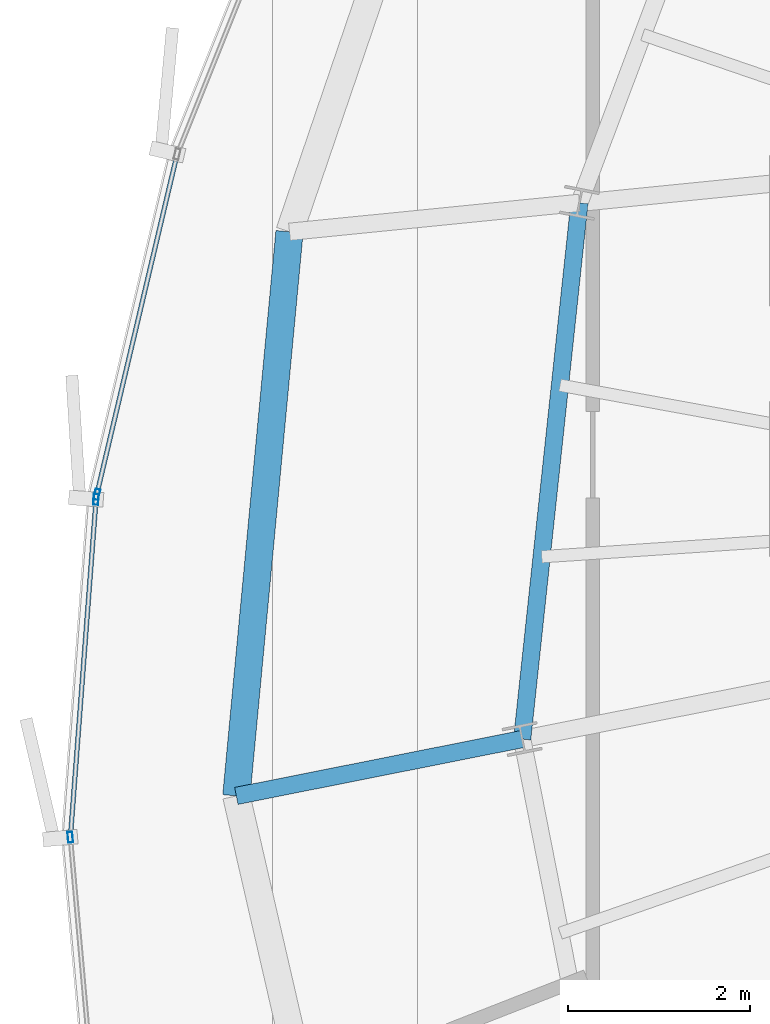
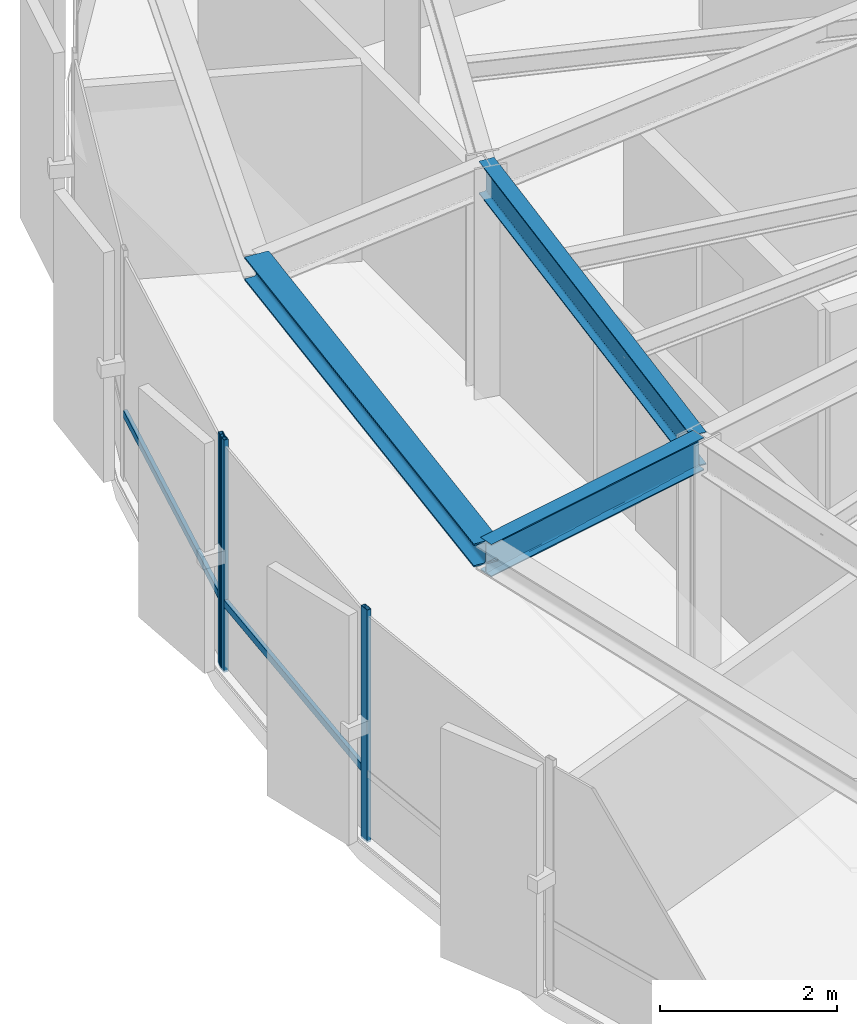
# One storey, part 9 of 34: 5 members, 3 beams, 2 elements without a shape of their own.
"""IFC4 building model written with IfcOpenShell, lengths in metres."""

from ifc_helpers import new_model, si_unit, direction, frame, origin, origin_2d, place, context, subcontext, project, spatial, hollow_rectangle, i_section, extrude, source, transform, mapped, material, layer, layer_set, material_profile, profile_set, type_object, element, aggregate, save


model = new_model("IFC4")

# Units and contexts
model_context = context("Model", 3, precision=1e-05, world=origin(), true_north=direction((0.0, 1.0)))
body_context = subcontext(model_context, "Body", "Model", "MODEL_VIEW")
ifc_project = project(units=[si_unit("LENGTHUNIT", "METRE"), si_unit("AREAUNIT", "SQUARE_METRE"), si_unit("VOLUMEUNIT", "CUBIC_METRE"), si_unit("PLANEANGLEUNIT", "RADIAN"), si_unit("MASSUNIT", "GRAM", prefix="KILO"), si_unit("THERMODYNAMICTEMPERATUREUNIT", "KELVIN")], contexts=[model_context])

# Site, building, storey
site_placement = place(None, origin())
site = spatial("IfcSite", under=ifc_project, at=site_placement, CompositionType="ELEMENT")
building_placement = place(site_placement, origin())
building = spatial("IfcBuilding", under=site, at=building_placement, Name="Kethvar Cultural Tower", CompositionType="ELEMENT")
storey_placement = place(building_placement, frame((0.0, 0.0, 259.449951171875)))
storey = spatial("IfcBuildingStorey", under=building, at=storey_placement, Name="L68", CompositionType="ELEMENT", Elevation=259.449951171875)

# Beams
ifc_material_1 = material(Name="Steel S355J2", Category="steel")
ifc_material_profile_1 = material_profile(ifc_material_1, i_section(OverallWidth=0.18994140625, OverallDepth=0.449951171875, WebThickness=0.009521484375, FlangeThickness=0.0146484375, FilletRadius=0.02099609375, at=origin_2d()), Name="Steel S355J2 — IPE450")
ifc_profile_set_1 = profile_set([ifc_material_profile_1], Name="Steel S355J2 — IPE450")
beam_type_1 = type_object("IfcBeamType", Name="BM-IPE450", PredefinedType="BEAM", material=ifc_profile_set_1)
shared_shape_1 = source(origin(), body_context, "Body", "SweptSolid", [
    extrude(i_section(OverallWidth=0.18994140625, OverallDepth=0.449951171875, WebThickness=0.009521484375, FlangeThickness=0.0146484375, FilletRadius=0.02099609375, at=origin_2d()), origin(), (0.0, 0.0, 1.0), 3.2001953125),
])
beam_1_placement = place(storey_placement, frame((31.68310546875, 24.79296875, 2.983154296875), z_axis=(-0.980788453702, -0.195074368086, 0.0), x_axis=(0.195074368086, -0.980788453702, 0.0)))
element("IfcBeam", 1, at=beam_1_placement, inside=storey, type_object=beam_type_1, Name="L68 Perimeter Cantilever Beam RC-09", PredefinedType="BEAM", context=body_context, shape_type="MappedRepresentation", body=[
    mapped(shared_shape_1, transform((0.0, 0.0, 0.0), scale=1.0)),
])
shared_shape_2 = source(origin(), body_context, "Body", "SweptSolid", [
    extrude(i_section(OverallWidth=0.18994140625, OverallDepth=0.449951171875, WebThickness=0.009521484375, FlangeThickness=0.0146484375, FilletRadius=0.02099609375, at=origin_2d()), origin(), (0.0, 0.0, 1.0), 5.92236328125),
])
beam_2_placement = place(storey_placement, frame((32.3125, 30.681884765625, 2.983154296875), z_axis=(-0.106272578913, -0.994337034899, 0.0), x_axis=(0.994337034899, -0.106272578913, 0.0)))
element("IfcBeam", 2, at=beam_2_placement, inside=storey, type_object=beam_type_1, Name="L68 Column Ring Tie Beam CR-08", PredefinedType="BEAM", context=body_context, shape_type="MappedRepresentation", body=[
    mapped(shared_shape_2, transform((0.0, 0.0, 0.0), scale=1.0)),
])
ifc_material_profile_2 = material_profile(ifc_material_1, i_section(OverallWidth=0.300048828125, OverallDepth=0.320068359375, WebThickness=0.011474609375, FlangeThickness=0.0205078125, FilletRadius=0.027099609375, at=origin_2d()), Name="Steel S355J2 — HEB320")
ifc_profile_set_2 = profile_set([ifc_material_profile_2], Name="Steel S355J2 — HEB320")
beam_type_2 = type_object("IfcBeamType", Name="BM-SP320", PredefinedType="SPANDREL", material=ifc_profile_set_2)
shared_shape_3 = source(origin(), body_context, "Body", "SweptSolid", [
    extrude(i_section(OverallWidth=0.300048828125, OverallDepth=0.320068359375, WebThickness=0.011474609375, FlangeThickness=0.0205078125, FilletRadius=0.027099609375, at=origin_2d()), origin(), (0.0, 0.0, 1.0), 6.222412109375),
])
beam_3_placement = place(storey_placement, frame((29.128173828125, 30.36376953125, 3.048095703125), z_axis=(-0.093811063392, -0.995590018223, 0.0), x_axis=(0.995590018223, -0.093811063392, 0.0)))
element("IfcBeam", 3, at=beam_3_placement, inside=storey, type_object=beam_type_2, Name="L68 Perimeter Spandrel Beam SP-08", PredefinedType="SPANDREL", context=body_context, shape_type="MappedRepresentation", body=[
    mapped(shared_shape_3, transform((0.0, 0.0, 0.0), scale=1.0)),
])

# Curtain wall, member
ifc_material_2 = material(Name="Aluminium 6063-T6", Category="aluminium")
ifc_layer = layer(ifc_material_2, 0.179931640625, Name="Aluminium 6063-T6", Category="aluminium")
ifc_layer_set = layer_set([ifc_layer], Name="Aluminium 6063-T6 (180 mm)")
curtain_wall_type = type_object("IfcCurtainWallType", Name="CW-SYS-05-Z56", PredefinedType="NOTDEFINED", material=ifc_layer_set)
curtain_wall_1_placement = place(storey_placement, origin())
curtain_wall_1 = element("IfcCurtainWall", 4, at=curtain_wall_1_placement, inside=storey, type_object=curtain_wall_type, Name="L68 Curtain Wall Run 02", PredefinedType="NOTDEFINED")
ifc_material_profile_3 = material_profile(ifc_material_2, hollow_rectangle(XDim=0.054931640625, YDim=0.1201171875, WallThickness=0.00390625, at=origin_2d()), Name="Aluminium 6063-T6 — RHS120x55x4")
ifc_profile_set_3 = profile_set([ifc_material_profile_3], Name="Aluminium 6063-T6 — RHS120x55x4")
member_type_1 = type_object("IfcMemberType", Name="CW-SYS-05-Z56-MUL", PredefinedType="MULLION", material=ifc_profile_set_3)
shared_shape_4 = source(origin(), body_context, "Body", "SweptSolid", [
    extrude(hollow_rectangle(XDim=0.054931640625, YDim=0.1201171875, WallThickness=0.00390625, at=origin_2d()), origin(), (0.0, 0.0, 1.0), 3.2099609375),
])
member_1_placement = place(storey_placement, frame((27.01220703125, 27.479736328125, 0.0), z_axis=(0.0, 0.0, 1.0), x_axis=(0.973255106649, -0.22972700621, 0.0)))
member_1 = element("IfcMember", 5, at=member_1_placement, type_object=member_type_1, Name="CW-L68-R02 Mullion 7", PredefinedType="MULLION", context=body_context, shape_type="MappedRepresentation", body=[
    mapped(shared_shape_4, transform((0.0, 0.0, 0.0), scale=1.0)),
])

# Curtain wall, members
curtain_wall_2_placement = place(storey_placement, origin())
curtain_wall_2 = element("IfcCurtainWall", 6, at=curtain_wall_2_placement, inside=storey, type_object=curtain_wall_type, Name="L68 Curtain Wall Run 03", PredefinedType="NOTDEFINED")
member_2_placement = place(storey_placement, frame((27.003662109375, 27.4248046875, 0.0), z_axis=(0.0, 0.0, 1.0), x_axis=(0.997128581801, -0.075727084685, 0.0)))
member_2 = element("IfcMember", 7, at=member_2_placement, type_object=member_type_1, Name="CW-L68-R03 Mullion 1", PredefinedType="MULLION", context=body_context, shape_type="MappedRepresentation", body=[
    mapped(shared_shape_4, transform((0.0, 0.0, 0.0), scale=1.0)),
])
member_3_placement = place(storey_placement, frame((26.720458984375, 23.715576171875, 0.0), z_axis=(0.0, 0.0, 1.0), x_axis=(0.995972505796, 0.089659175206, 0.0)))
member_3 = element("IfcMember", 8, at=member_3_placement, type_object=member_type_1, Name="CW-L68-R03 Mullion 2", PredefinedType="MULLION", context=body_context, shape_type="MappedRepresentation", body=[
    mapped(shared_shape_4, transform((0.0, 0.0, 0.0), scale=1.0)),
])

# Member
ifc_material_profile_4 = material_profile(ifc_material_2, hollow_rectangle(XDim=0.050048828125, YDim=0.10009765625, WallThickness=0.00390625, at=origin_2d()), Name="Aluminium 6063-T6 — RHS100x50x4")
ifc_profile_set_4 = profile_set([ifc_material_profile_4], Name="Aluminium 6063-T6 — RHS100x50x4")
member_type_2 = type_object("IfcMemberType", Name="CW-SYS-05-Z56-TRN", PredefinedType="USERDEFINED", material=ifc_profile_set_4)
shared_shape_5 = source(origin(), body_context, "Body", "SweptSolid", [
    extrude(hollow_rectangle(XDim=0.050048828125, YDim=0.10009765625, WallThickness=0.00390625, at=origin_2d()), origin(), (0.0, 0.0, 1.0), 3.7958984375),
])
member_4_placement = place(storey_placement, frame((27.885009765625, 31.177978515625, 0.949951171875), z_axis=(-0.22974191579, -0.973251587273, 0.0), x_axis=(0.973251587273, -0.22974191579, 0.0)))
member_4 = element("IfcMember", 9, at=member_4_placement, type_object=member_type_2, Name="CW-L68-R02 Transom 6", ObjectType="TRANSOM", PredefinedType="USERDEFINED", context=body_context, shape_type="MappedRepresentation", body=[
    mapped(shared_shape_5, transform((0.0, 0.0, 0.0), scale=1.0)),
])

aggregate(curtain_wall_1, [member_1, member_4])

shared_shape_6 = source(origin(), body_context, "Body", "SweptSolid", [
    extrude(hollow_rectangle(XDim=0.050048828125, YDim=0.10009765625, WallThickness=0.00390625, at=origin_2d()), origin(), (0.0, 0.0, 1.0), 3.693115234375),
])
member_5_placement = place(storey_placement, frame((27.00341796875, 27.4208984375, 0.949951171875), z_axis=(-0.075756219739, -0.997126368707, 0.0), x_axis=(0.997126368707, -0.075756219739, 0.0)))
member_5 = element("IfcMember", 10, at=member_5_placement, type_object=member_type_2, Name="CW-L68-R03 Transom 1", ObjectType="TRANSOM", PredefinedType="USERDEFINED", context=body_context, shape_type="MappedRepresentation", body=[
    mapped(shared_shape_6, transform((0.0, 0.0, 0.0), scale=1.0)),
])

aggregate(curtain_wall_2, [member_2, member_3, member_5])

save(model, "model.ifc")
